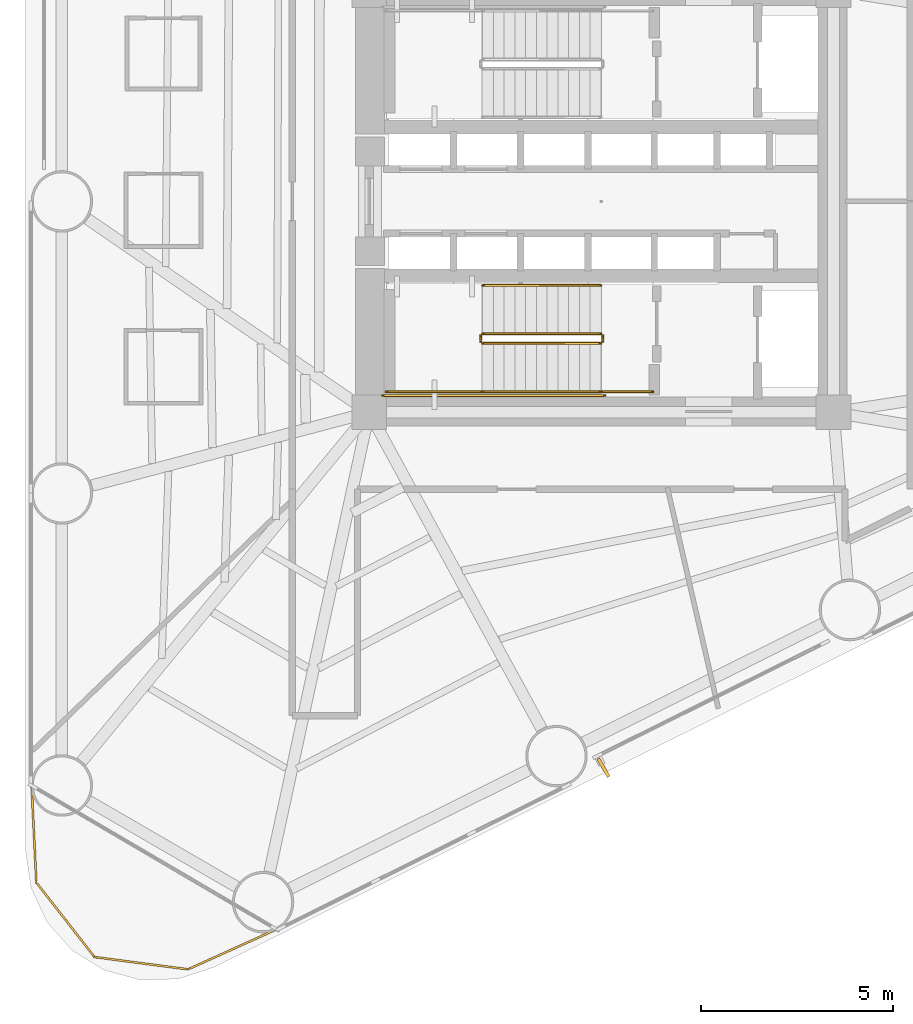
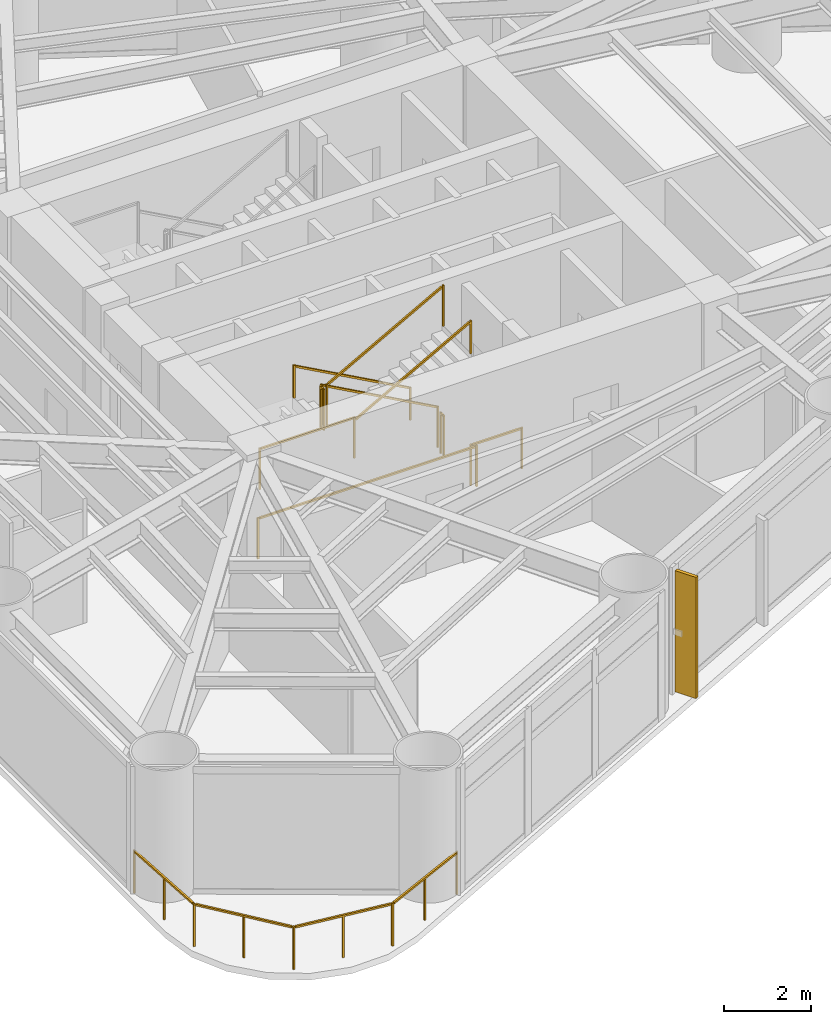
# One storey, part 8 of 10: 10 railings, 1 shading device.
"""IFC4 building model written with IfcOpenShell, lengths in metres."""

from ifc_helpers import new_model, si_unit, direction, frame, origin, origin_2d, place, context, subcontext, project, spatial, rectangle, extrude, source, transform, mapped, material, material_profile, profile_set, type_object, element, save


model = new_model("IFC4")

# Units and contexts
model_context = context("Model", 3, precision=1e-05, world=origin(), true_north=direction((0.0, 1.0)))
body_context = subcontext(model_context, "Body", "Model", "MODEL_VIEW")
ifc_project = project(units=[si_unit("LENGTHUNIT", "METRE"), si_unit("AREAUNIT", "SQUARE_METRE"), si_unit("VOLUMEUNIT", "CUBIC_METRE"), si_unit("PLANEANGLEUNIT", "RADIAN"), si_unit("MASSUNIT", "GRAM", prefix="KILO")], contexts=[model_context])

# Site, building, storey
site_placement = place(None, origin())
site = spatial("IfcSite", under=ifc_project, at=site_placement, CompositionType="ELEMENT")
building_placement = place(site_placement, origin())
building = spatial("IfcBuilding", under=site, at=building_placement, Name="Yunling Apex Tower", CompositionType="ELEMENT")
storey_placement = place(building_placement, frame((0.0, 0.0, 27.5)))
storey = spatial("IfcBuildingStorey", under=building, at=storey_placement, Name="L08", CompositionType="ELEMENT", Elevation=27.5)

# Railings
ifc_material_1 = material(Name="Bronze anodised aluminium", Category="aluminium")
railing_type_1 = type_object("IfcRailingType", Name="RL-BAL-1200", PredefinedType="BALUSTRADE", material=ifc_material_1)
railing_1_placement = place(storey_placement, frame((-8.45947265625, -18.965087890625, 0.0)))
element("IfcRailing", 1, at=railing_1_placement, inside=storey, type_object=railing_type_1, Name="RL-CRNSILL-L08-3", PredefinedType="BALUSTRADE", context=body_context, shape_type="SweptSolid", body=[
    extrude(rectangle(XDim=0.0439453125, YDim=0.0439453125, at=origin_2d()), origin(), (0.0, 0.0, 1.0), 1.199951171875),
    extrude(rectangle(XDim=0.0439453125, YDim=0.0439453125, at=origin_2d()), frame((-2.30712890625, -1.04296875, 0.0)), (0.0, 0.0, 1.0), 1.199951171875),
    extrude(rectangle(XDim=0.050048828125, YDim=0.050048828125, at=origin_2d()), frame((-0.034912109375, -0.015869140625, 1.1748046875), z_axis=(-0.911216522497, -0.411927723186, 0.0), x_axis=(0.411927723186, -0.911216522497, 0.0)), (0.0, 0.0, 1.0), 2.455322265625),
    extrude(rectangle(XDim=0.0439453125, YDim=0.0439453125, at=origin_2d()), frame((-1.153564453125, -0.521484375, 0.0)), (0.0, 0.0, 1.0), 1.14599609375),
    extrude(rectangle(XDim=0.0439453125, YDim=0.0439453125, at=origin_2d()), frame((-4.741943359375, -0.723388671875, 0.0)), (0.0, 0.0, 1.0), 1.199951171875),
    extrude(rectangle(XDim=0.050048828125, YDim=0.050048828125, at=origin_2d()), frame((-2.34521484375, -1.0380859375, 1.1748046875), z_axis=(-0.991495866646, 0.130138182035, 0.0), x_axis=(-0.130138182035, -0.991495866646, 0.0)), (0.0, 0.0, 1.0), 2.379150390625),
    extrude(rectangle(XDim=0.0439453125, YDim=0.0439453125, at=origin_2d()), frame((-3.5244140625, -0.88330078125, 0.0)), (0.0, 0.0, 1.0), 1.14599609375),
    extrude(rectangle(XDim=0.0439453125, YDim=0.0439453125, at=origin_2d()), frame((-6.258544921875, 1.21826171875, 0.0)), (0.0, 0.0, 1.0), 1.199951171875),
    extrude(rectangle(XDim=0.050048828125, YDim=0.050048828125, at=origin_2d()), frame((-4.765625, -0.693115234375, 1.1748046875), z_axis=(-0.615565197226, 0.788085964832, 0.0), x_axis=(-0.788085964832, -0.615565197226, 0.0)), (0.0, 0.0, 1.0), 2.38720703125),
    extrude(rectangle(XDim=0.0439453125, YDim=0.0439453125, at=origin_2d()), frame((-5.500244140625, 0.24755859375, 0.0)), (0.0, 0.0, 1.0), 1.14599609375),
    extrude(rectangle(XDim=0.0439453125, YDim=0.0439453125, at=origin_2d()), frame((-6.382568359375, 3.74609375, 0.0)), (0.0, 0.0, 1.0), 1.199951171875),
    extrude(rectangle(XDim=0.050048828125, YDim=0.050048828125, at=origin_2d()), frame((-6.260498046875, 1.256591796875, 1.1748046875), z_axis=(-0.049004218115, 0.998798571588, 0.0), x_axis=(-0.998798571588, -0.049004218115, 0.0)), (0.0, 0.0, 1.0), 2.4541015625),
    extrude(rectangle(XDim=0.0439453125, YDim=0.0439453125, at=origin_2d()), frame((-6.320556640625, 2.482177734375, 0.0)), (0.0, 0.0, 1.0), 1.14599609375),
])
ifc_material_2 = material(Name="Steel Q355B", Category="steel")
railing_type_2 = type_object("IfcRailingType", Name="RL-GRD-1150", PredefinedType="GUARDRAIL", material=ifc_material_2)
railing_2_placement = place(storey_placement, frame((-0.010009765625, -3.449951171875, 0.154052734375)))
element("IfcRailing", 2, at=railing_2_placement, inside=storey, type_object=railing_type_2, Name="L08 ST-2 stair guard 1", PredefinedType="GUARDRAIL", context=body_context, shape_type="SweptSolid", body=[
    extrude(rectangle(XDim=0.0439453125, YDim=0.0439453125, at=origin_2d()), origin(), (0.0, 0.0, 1.0), 1.14990234375),
    extrude(rectangle(XDim=0.0439453125, YDim=0.0439453125, at=origin_2d()), frame((-3.080078125, 0.0, 1.696044921875)), (0.0, 0.0, 1.0), 1.14990234375),
    extrude(rectangle(XDim=0.050048828125, YDim=0.050048828125, at=origin_2d()), frame((-0.03369140625, 0.0, 1.143310546875), z_axis=(-0.875975380505, 0.0, 0.482355815502), x_axis=(0.0, -1.0, 0.0)), (0.0, 0.0, 1.0), 3.439453125),
])
railing_3_placement = place(storey_placement, frame((-3.139892578125, -3.5, 1.85009765625)))
element("IfcRailing", 3, at=railing_3_placement, inside=storey, type_object=railing_type_2, Name="L08 ST-2 stair guard 2", PredefinedType="GUARDRAIL", context=body_context, shape_type="SweptSolid", body=[
    extrude(rectangle(XDim=0.0439453125, YDim=0.0439453125, at=origin_2d()), origin(), (0.0, 0.0, 1.0), 1.14990234375),
    extrude(rectangle(XDim=0.0439453125, YDim=0.0439453125, at=origin_2d()), frame((0.0, -0.14990234375, 0.0)), (0.0, 0.0, 1.0), 1.14990234375),
    extrude(rectangle(XDim=0.050048828125, YDim=0.050048828125, at=origin_2d()), frame((0.0, -0.038330078125, 1.125), z_axis=(0.0, -1.0, 0.0), x_axis=(1.0, 0.0, 0.0)), (0.0, 0.0, 1.0), 0.0732421875),
])
railing_4_placement = place(storey_placement, frame((-3.090087890625, -4.9599609375, 1.85009765625)))
element("IfcRailing", 4, at=railing_4_placement, inside=storey, type_object=railing_type_2, Name="L08 ST-2 stair guard 3", PredefinedType="GUARDRAIL", context=body_context, shape_type="SweptSolid", body=[
    extrude(rectangle(XDim=0.0439453125, YDim=0.0439453125, at=origin_2d()), origin(), (0.0, 0.0, 1.0), 1.14990234375),
    extrude(rectangle(XDim=0.0439453125, YDim=0.0439453125, at=origin_2d()), frame((-2.510009765625, 0.0, 0.0)), (0.0, 0.0, 1.0), 1.14990234375),
    extrude(rectangle(XDim=0.050048828125, YDim=0.050048828125, at=origin_2d()), frame((-0.038330078125, 0.0, 1.125), z_axis=(-1.0, 0.0, 0.0), x_axis=(0.0, -1.0, 0.0)), (0.0, 0.0, 1.0), 2.433349609375),
])
railing_5_placement = place(storey_placement, frame((-3.090087890625, -3.699951171875, 2.004150390625)))
element("IfcRailing", 5, at=railing_5_placement, inside=storey, type_object=railing_type_2, Name="L08 ST-2 stair guard 4", PredefinedType="GUARDRAIL", context=body_context, shape_type="SweptSolid", body=[
    extrude(rectangle(XDim=0.0439453125, YDim=0.0439453125, at=origin_2d()), origin(), (0.0, 0.0, 1.0), 1.14990234375),
    extrude(rectangle(XDim=0.0439453125, YDim=0.0439453125, at=origin_2d()), frame((3.080078125, 0.0, 1.69580078125)), (0.0, 0.0, 1.0), 1.14990234375),
    extrude(rectangle(XDim=0.050048828125, YDim=0.050048828125, at=origin_2d()), frame((0.03369140625, 0.0, 1.143310546875), z_axis=(0.876004717809, 0.0, 0.482302534076), x_axis=(0.0, 1.0, 0.0)), (0.0, 0.0, 1.0), 3.439453125),
])
railing_6_placement = place(storey_placement, frame((0.0400390625, -3.5, 0.0)))
element("IfcRailing", 6, at=railing_6_placement, inside=storey, type_object=railing_type_2, Name="L08 ST-2 stair guard 5", PredefinedType="GUARDRAIL", context=body_context, shape_type="SweptSolid", body=[
    extrude(rectangle(XDim=0.0439453125, YDim=0.0439453125, at=origin_2d()), origin(), (0.0, 0.0, 1.0), 1.14990234375),
    extrude(rectangle(XDim=0.0439453125, YDim=0.0439453125, at=origin_2d()), frame((0.0, -0.14990234375, 0.0)), (0.0, 0.0, 1.0), 1.14990234375),
    extrude(rectangle(XDim=0.050048828125, YDim=0.050048828125, at=origin_2d()), frame((0.0, -0.038330078125, 1.125), z_axis=(0.0, -1.0, 0.0), x_axis=(1.0, 0.0, 0.0)), (0.0, 0.0, 1.0), 0.0732421875),
])
railing_7_placement = place(storey_placement, frame((1.35009765625, -4.9599609375, 0.0)))
element("IfcRailing", 7, at=railing_7_placement, inside=storey, type_object=railing_type_2, Name="L08 ST-2 stair guard 6", PredefinedType="GUARDRAIL", context=body_context, shape_type="SweptSolid", body=[
    extrude(rectangle(XDim=0.0439453125, YDim=0.0439453125, at=origin_2d()), origin(), (0.0, 0.0, 1.0), 1.14990234375),
    extrude(rectangle(XDim=0.0439453125, YDim=0.0439453125, at=origin_2d()), frame((-1.360107421875, 0.0, 0.0)), (0.0, 0.0, 1.0), 1.14990234375),
    extrude(rectangle(XDim=0.050048828125, YDim=0.050048828125, at=origin_2d()), frame((-0.038330078125, 0.0, 1.125), z_axis=(-1.0, 0.0, 0.0), x_axis=(0.0, -1.0, 0.0)), (0.0, 0.0, 1.0), 1.283447265625),
])
railing_8_placement = place(storey_placement, frame((0.090087890625, -5.06005859375, 0.0)))
element("IfcRailing", 8, at=railing_8_placement, inside=storey, type_object=railing_type_2, Name="L08 ST-2 stair guard 7", PredefinedType="GUARDRAIL", context=body_context, shape_type="SweptSolid", body=[
    extrude(rectangle(XDim=0.0439453125, YDim=0.0439453125, at=origin_2d()), origin(), (0.0, 0.0, 1.0), 1.14990234375),
    extrude(rectangle(XDim=0.0439453125, YDim=0.0439453125, at=origin_2d()), frame((-5.7900390625, 0.0, 0.0)), (0.0, 0.0, 1.0), 1.14990234375),
    extrude(rectangle(XDim=0.050048828125, YDim=0.050048828125, at=origin_2d()), frame((-0.038330078125, 0.0, 1.125), z_axis=(-1.0, 0.0, 0.0), x_axis=(0.0, -1.0, 0.0)), (0.0, 0.0, 1.0), 5.71337890625),
])
ifc_material_3 = material(Name="Silver anodised aluminium", Category="aluminium")
railing_type_3 = type_object("IfcRailingType", Name="RL-HND-900", PredefinedType="HANDRAIL", material=ifc_material_3)
railing_9_placement = place(storey_placement, frame((-0.010009765625, -2.18994140625, 0.154052734375)))
element("IfcRailing", 9, at=railing_9_placement, inside=storey, type_object=railing_type_3, Name="L08 ST-2 stair handrail 1", PredefinedType="HANDRAIL", context=body_context, shape_type="SweptSolid", body=[
    extrude(rectangle(XDim=0.0439453125, YDim=0.0439453125, at=origin_2d()), origin(), (0.0, 0.0, 1.0), 0.919921875),
    extrude(rectangle(XDim=0.0439453125, YDim=0.0439453125, at=origin_2d()), frame((-3.080078125, 0.0, 1.696044921875)), (0.0, 0.0, 1.0), 0.919921875),
    extrude(rectangle(XDim=0.050048828125, YDim=0.050048828125, at=origin_2d()), frame((-0.03369140625, 0.0, 0.913330078125), z_axis=(-0.875975380505, 0.0, 0.482355815502), x_axis=(0.0, -1.0, 0.0)), (0.0, 0.0, 1.0), 3.439453125),
])
railing_10_placement = place(storey_placement, frame((-3.090087890625, -4.9599609375, 2.004150390625)))
element("IfcRailing", 10, at=railing_10_placement, inside=storey, type_object=railing_type_3, Name="L08 ST-2 stair handrail 2", PredefinedType="HANDRAIL", context=body_context, shape_type="SweptSolid", body=[
    extrude(rectangle(XDim=0.0439453125, YDim=0.0439453125, at=origin_2d()), origin(), (0.0, 0.0, 1.0), 0.919921875),
    extrude(rectangle(XDim=0.0439453125, YDim=0.0439453125, at=origin_2d()), frame((3.080078125, 0.0, 1.69580078125)), (0.0, 0.0, 1.0), 0.919921875),
    extrude(rectangle(XDim=0.050048828125, YDim=0.050048828125, at=origin_2d()), frame((0.03369140625, 0.0, 0.913330078125), z_axis=(0.876004717809, 0.0, 0.482302534076), x_axis=(0.0, 1.0, 0.0)), (0.0, 0.0, 1.0), 3.439453125),
])

# Shading device
ifc_material_profile = material_profile(ifc_material_1, rectangle(XDim=0.0849609375, YDim=0.550048828125, at=origin_2d()))
ifc_profile_set = profile_set([ifc_material_profile], Name="Bronze anodised aluminium")
shading_device_type = type_object("IfcShadingDeviceType", Name="FN-BRZ-3", PredefinedType="USERDEFINED", material=ifc_profile_set)
shared_shape = source(origin(), body_context, "Body", "SweptSolid", [
    extrude(rectangle(XDim=0.0849609375, YDim=0.550048828125, at=origin_2d()), origin(), (0.0, 0.0, 1.0), 3.39501953125),
])
shading_device_placement = place(storey_placement, frame((0.0576171875, -14.75390625, 0.06005859375), z_axis=(0.0, 0.0, 1.0), x_axis=(0.864186995248, 0.503170783377, 0.0)))
element("IfcShadingDevice", 11, at=shading_device_placement, inside=storey, type_object=shading_device_type, Name="CW-L08-F1-B2-FIN-01", ObjectType="FIN", PredefinedType="USERDEFINED", context=body_context, shape_type="MappedRepresentation", body=[
    mapped(shared_shape, transform((0.0, 0.0, 0.0), scale=1.0)),
])

save(model, "model.ifc")
